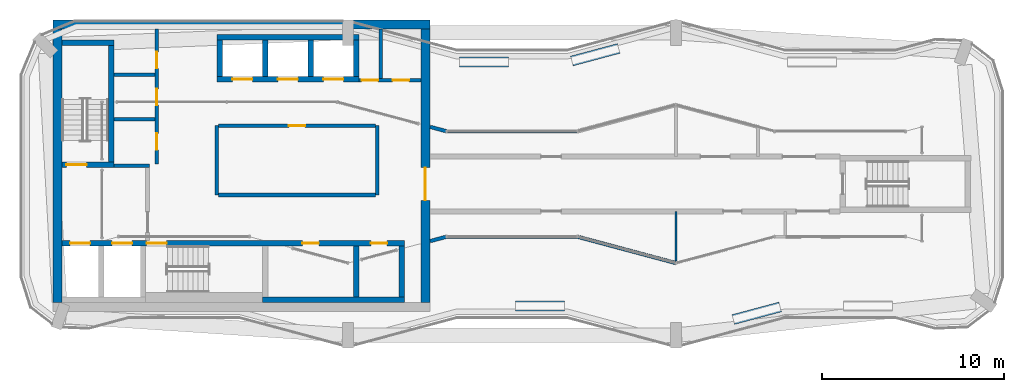
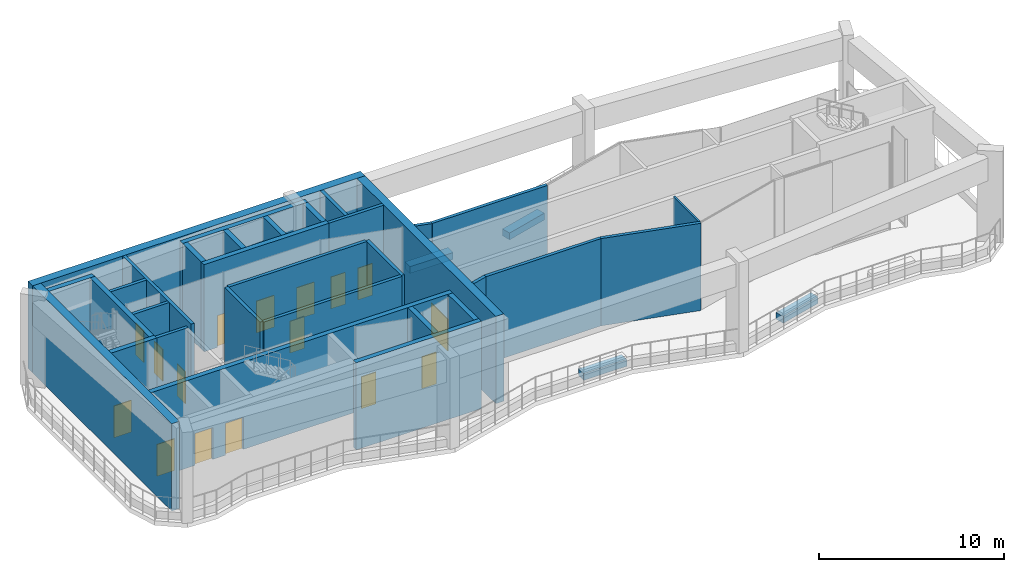
# One storey, part 7 of 12: 36 walls, 16 doors, 16 openings.
"""IFC4 building model written with IfcOpenShell, lengths in metres."""

from ifc_helpers import new_model, si_unit, direction, frame, frame_2d, origin, place, context, subcontext, project, spatial, rectangle, extrude, material, layer, layer_set, type_object, element, fill, save


model = new_model("IFC4")

# Units and contexts
model_context = context("Model", 3, precision=1e-05, world=origin(), true_north=direction((0.0, 1.0)))
body_context = subcontext(model_context, "Body", "Model", "MODEL_VIEW")
ifc_project = project(units=[si_unit("LENGTHUNIT", "METRE"), si_unit("AREAUNIT", "SQUARE_METRE"), si_unit("VOLUMEUNIT", "CUBIC_METRE"), si_unit("PLANEANGLEUNIT", "RADIAN"), si_unit("MASSUNIT", "GRAM", prefix="KILO")], contexts=[model_context])

# Site, building, storey
site_placement = place(None, origin())
site = spatial("IfcSite", under=ifc_project, at=site_placement, CompositionType="ELEMENT")
building_placement = place(site_placement, origin())
building = spatial("IfcBuilding", under=site, at=building_placement, Name="Plateau Cross Towers", CompositionType="ELEMENT")
storey_placement = place(building_placement, frame((0.0, 0.0, 236.39990234375)))
storey = spatial("IfcBuildingStorey", under=building, at=storey_placement, Name="L62", CompositionType="ELEMENT", Elevation=236.39990234375)

# Walls
ifc_material_1 = material(Name="Concrete block, plastered both sides", Category="concrete")
ifc_layer_1 = layer(ifc_material_1, 0.199951171875)
ifc_layer_set_1 = layer_set([ifc_layer_1], Name="Concrete block, plastered both sides")
wall_type_1 = type_object("IfcWallType", Name="Core partition 200", PredefinedType="PARTITIONING", material=ifc_layer_set_1)
wall_1_placement = place(storey_placement, frame((5.14990234375, 10.0, 0.0), z_axis=(0.0, 0.0, 1.0), x_axis=(1.0, 0.0, 0.0)))
element("IfcWall", 1, at=wall_1_placement, inside=storey, type_object=wall_type_1, Name="Core partition", PredefinedType="PARTITIONING", context=body_context, shape_type="SweptSolid", body=[
    extrude(rectangle(XDim=1.9501953125, YDim=0.199951171875, at=frame_2d((0.97509765625, 0.0))), origin(), (0.0, 0.0, 1.0), 5.75),
])
wall_2_placement = place(storey_placement, frame((10.800048828125, 8.39990234375, 0.0), z_axis=(0.0, 0.0, 1.0), x_axis=(0.0, 1.0, 0.0)))
element("IfcWall", 2, at=wall_2_placement, inside=storey, type_object=wall_type_1, Name="Core partition", PredefinedType="PARTITIONING", context=body_context, shape_type="SweptSolid", body=[
    extrude(rectangle(XDim=3.800048828125, YDim=0.199951171875, at=frame_2d((1.89990234375, 0.0))), origin(), (0.0, 0.0, 1.0), 5.75),
])
wall_3_placement = place(storey_placement, frame((10.89990234375, 8.39990234375, 0.0), z_axis=(0.0, 0.0, 1.0), x_axis=(1.0, 0.0, 0.0)))
element("IfcWall", 3, at=wall_3_placement, inside=storey, type_object=wall_type_1, Name="Core partition", PredefinedType="PARTITIONING", context=body_context, shape_type="SweptSolid", body=[
    extrude(rectangle(XDim=8.60009765625, YDim=0.199951171875, at=frame_2d((4.300048828125, 0.0))), origin(), (0.0, 0.0, 1.0), 5.75),
])
wall_4_placement = place(storey_placement, frame((19.60009765625, 8.39990234375, 0.0), z_axis=(0.0, 0.0, 1.0), x_axis=(0.0, 1.0, 0.0)))
element("IfcWall", 4, at=wall_4_placement, inside=storey, type_object=wall_type_1, Name="Core partition", PredefinedType="PARTITIONING", context=body_context, shape_type="SweptSolid", body=[
    extrude(rectangle(XDim=3.800048828125, YDim=0.199951171875, at=frame_2d((1.89990234375, 0.0))), origin(), (0.0, 0.0, 1.0), 5.75),
])

# Wall, opening, door
wall_5_placement = place(storey_placement, frame((10.89990234375, 12.199951171875, 0.0), z_axis=(0.0, 0.0, 1.0), x_axis=(1.0, 0.0, 0.0)))
wall_5 = element("IfcWall", 5, at=wall_5_placement, inside=storey, type_object=wall_type_1, Name="Core partition", PredefinedType="PARTITIONING", context=body_context, shape_type="SweptSolid", body=[
    extrude(rectangle(XDim=8.60009765625, YDim=0.199951171875, at=frame_2d((4.300048828125, 0.0))), origin(), (0.0, 0.0, 1.0), 5.75),
])
opening_1_placement = place(wall_5_placement, frame((3.85009765625, 0.0, 0.0)))
opening_1 = element("IfcOpeningElement", 6, at=opening_1_placement, cuts=wall_5, Name="Opening RD1", PredefinedType="OPENING", context=body_context, shape_type="SweptSolid", body=[
    extrude(rectangle(XDim=0.89990234375, YDim=2.10009765625, at=frame_2d((0.449951171875, 1.050048828125))), frame((0.0, 0.10986328125, 0.0), z_axis=(0.0, -1.0, 0.0), x_axis=(1.0, 0.0, 0.0)), (0.0, 0.0, 1.0), 0.219970703125),
])
ifc_material_2 = material(Name="Timber, fire-resisting leaf", Category="wood")
door_type_1 = type_object("IfcDoorType", Name="Core service door 900", OperationType="NOTDEFINED", PredefinedType="DOOR", material=ifc_material_2)
door_1_placement = place(opening_1_placement, origin())
door_1 = element("IfcDoor", 7, at=door_1_placement, inside=storey, type_object=door_type_1, Name="Core service door RD1", OperationType="SINGLE_SWING_LEFT", OverallHeight=2.10009765625, OverallWidth=0.89990234375, PredefinedType="DOOR", context=body_context, shape_type="SweptSolid", body=[
    extrude(rectangle(XDim=0.89990234375, YDim=2.10009765625, at=frame_2d((0.449951171875, 1.050048828125))), frame((0.0, 0.02490234375, 0.0), z_axis=(0.0, -1.0, 0.0), x_axis=(1.0, 0.0, 0.0)), (0.0, 0.0, 1.0), 0.050048828125),
])
fill(opening_1, door_1)

# Wall, openings, doors
wall_6_placement = place(storey_placement, frame((7.5, 10.10009765625, 0.0), z_axis=(0.0, 0.0, 1.0), x_axis=(0.0, 1.0, 0.0)))
wall_6 = element("IfcWall", 8, at=wall_6_placement, inside=storey, type_object=wall_type_1, Name="Core partition", PredefinedType="PARTITIONING", context=body_context, shape_type="SweptSolid", body=[
    extrude(rectangle(XDim=7.39990234375, YDim=0.199951171875, at=frame_2d((3.699951171875, 0.0))), origin(), (0.0, 0.0, 1.0), 5.75),
])
opening_2_placement = place(wall_6_placement, frame((0.77490234375, 0.0, 0.0)))
opening_2 = element("IfcOpeningElement", 9, at=opening_2_placement, cuts=wall_6, Name="Opening RD1", PredefinedType="OPENING", context=body_context, shape_type="SweptSolid", body=[
    extrude(rectangle(XDim=0.89990234375, YDim=2.10009765625, at=frame_2d((0.449951171875, 1.050048828125))), frame((0.0, 0.10986328125, 0.0), z_axis=(0.0, -1.0, 0.0), x_axis=(1.0, 0.0, 0.0)), (0.0, 0.0, 1.0), 0.219970703125),
])
opening_3_placement = place(wall_6_placement, frame((3.22509765625, 0.0, 0.0)))
opening_3 = element("IfcOpeningElement", 10, at=opening_3_placement, cuts=wall_6, Name="Opening RD1", PredefinedType="OPENING", context=body_context, shape_type="SweptSolid", body=[
    extrude(rectangle(XDim=0.89990234375, YDim=2.10009765625, at=frame_2d((0.449951171875, 1.050048828125))), frame((0.0, 0.10986328125, 0.0), z_axis=(0.0, -1.0, 0.0), x_axis=(1.0, 0.0, 0.0)), (0.0, 0.0, 1.0), 0.219970703125),
])
opening_4_placement = place(wall_6_placement, frame((5.25, 0.0, 0.0)))
opening_4 = element("IfcOpeningElement", 11, at=opening_4_placement, cuts=wall_6, Name="Opening RD1", PredefinedType="OPENING", context=body_context, shape_type="SweptSolid", body=[
    extrude(rectangle(XDim=0.89990234375, YDim=2.10009765625, at=frame_2d((0.449951171875, 1.050048828125))), frame((0.0, 0.10986328125, 0.0), z_axis=(0.0, -1.0, 0.0), x_axis=(1.0, 0.0, 0.0)), (0.0, 0.0, 1.0), 0.219970703125),
])
door_2_placement = place(opening_2_placement, origin())
door_2 = element("IfcDoor", 12, at=door_2_placement, inside=storey, type_object=door_type_1, Name="Core service door RD1", OperationType="SINGLE_SWING_RIGHT", OverallHeight=2.10009765625, OverallWidth=0.89990234375, PredefinedType="DOOR", context=body_context, shape_type="SweptSolid", body=[
    extrude(rectangle(XDim=0.89990234375, YDim=2.10009765625, at=frame_2d((0.449951171875, 1.050048828125))), frame((0.0, 0.02490234375, 0.0), z_axis=(0.0, -1.0, 0.0), x_axis=(1.0, 0.0, 0.0)), (0.0, 0.0, 1.0), 0.050048828125),
])
fill(opening_2, door_2)
door_3_placement = place(opening_3_placement, origin())
door_3 = element("IfcDoor", 13, at=door_3_placement, inside=storey, type_object=door_type_1, Name="Core service door RD1", OperationType="SINGLE_SWING_RIGHT", OverallHeight=2.10009765625, OverallWidth=0.89990234375, PredefinedType="DOOR", context=body_context, shape_type="SweptSolid", body=[
    extrude(rectangle(XDim=0.89990234375, YDim=2.10009765625, at=frame_2d((0.449951171875, 1.050048828125))), frame((0.0, 0.02490234375, 0.0), z_axis=(0.0, -1.0, 0.0), x_axis=(1.0, 0.0, 0.0)), (0.0, 0.0, 1.0), 0.050048828125),
])
fill(opening_3, door_3)
door_4_placement = place(opening_4_placement, origin())
door_4 = element("IfcDoor", 14, at=door_4_placement, inside=storey, type_object=door_type_1, Name="Core service door RD1", OperationType="SINGLE_SWING_RIGHT", OverallHeight=2.10009765625, OverallWidth=0.89990234375, PredefinedType="DOOR", context=body_context, shape_type="SweptSolid", body=[
    extrude(rectangle(XDim=0.89990234375, YDim=2.10009765625, at=frame_2d((0.449951171875, 1.050048828125))), frame((0.0, 0.02490234375, 0.0), z_axis=(0.0, -1.0, 0.0), x_axis=(1.0, 0.0, 0.0)), (0.0, 0.0, 1.0), 0.050048828125),
])
fill(opening_4, door_4)

# Walls
for number, where, z_axis, x_axis, name in (
    (15, (5.14990234375, 12.550048828125, 0.0), (0.0, 0.0, 1.0), (1.0, 0.0, 0.0), "Core partition"),
    (16, (5.14990234375, 15.0, 0.0), (0.0, 0.0, 1.0), (1.0, 0.0, 0.0), "Core partition"),
):
    element("IfcWall", number, at=place(storey_placement, frame(where, z_axis=z_axis, x_axis=x_axis)), inside=storey, type_object=wall_type_1, Name=name, PredefinedType="PARTITIONING", context=body_context, shape_type="SweptSolid", body=[
        extrude(rectangle(XDim=2.25, YDim=0.199951171875, at=frame_2d((1.125, 0.0))), origin(), (0.0, 0.0, 1.0), 5.75),
    ])

# Wall, openings, doors
wall_7_placement = place(storey_placement, frame((18.60009765625, 14.699951171875, 0.0), z_axis=(0.0, 0.0, 1.0), x_axis=(1.0, 0.0, 0.0)))
wall_7 = element("IfcWall", 17, at=wall_7_placement, inside=storey, type_object=wall_type_1, Name="Core partition", PredefinedType="PARTITIONING", context=body_context, shape_type="SweptSolid", body=[
    extrude(rectangle(XDim=3.39990234375, YDim=0.199951171875, at=frame_2d((1.699951171875, 0.0))), origin(), (0.0, 0.0, 1.0), 5.75),
])
opening_5_placement = place(wall_7_placement, frame((0.14990234375, 0.0, 0.0)))
opening_5 = element("IfcOpeningElement", 18, at=opening_5_placement, cuts=wall_7, Name="Opening RD2", PredefinedType="OPENING", context=body_context, shape_type="SweptSolid", body=[
    extrude(rectangle(XDim=0.89990234375, YDim=2.10009765625, at=frame_2d((0.449951171875, 1.050048828125))), frame((0.0, 0.10986328125, 0.0), z_axis=(0.0, -1.0, 0.0), x_axis=(1.0, 0.0, 0.0)), (0.0, 0.0, 1.0), 0.219970703125),
])
opening_6_placement = place(wall_7_placement, frame((1.85009765625, 0.0, 0.0)))
opening_6 = element("IfcOpeningElement", 19, at=opening_6_placement, cuts=wall_7, Name="Opening RD2", PredefinedType="OPENING", context=body_context, shape_type="SweptSolid", body=[
    extrude(rectangle(XDim=0.89990234375, YDim=2.10009765625, at=frame_2d((0.449951171875, 1.050048828125))), frame((0.0, 0.10986328125, 0.0), z_axis=(0.0, -1.0, 0.0), x_axis=(1.0, 0.0, 0.0)), (0.0, 0.0, 1.0), 0.219970703125),
])
ifc_material_3 = material(Name="Steel, fire-resisting leaf", Category="steel")
door_type_2 = type_object("IfcDoorType", Name="Core riser door 900", OperationType="NOTDEFINED", PredefinedType="DOOR", material=ifc_material_3)
door_5_placement = place(opening_5_placement, origin())
door_5 = element("IfcDoor", 20, at=door_5_placement, inside=storey, type_object=door_type_2, Name="Core riser door RD2", OperationType="SINGLE_SWING_LEFT", OverallHeight=2.10009765625, OverallWidth=0.89990234375, PredefinedType="DOOR", context=body_context, shape_type="SweptSolid", body=[
    extrude(rectangle(XDim=0.89990234375, YDim=2.10009765625, at=frame_2d((0.449951171875, 1.050048828125))), frame((0.0, 0.02490234375, 0.0), z_axis=(0.0, -1.0, 0.0), x_axis=(1.0, 0.0, 0.0)), (0.0, 0.0, 1.0), 0.050048828125),
])
fill(opening_5, door_5)
door_6_placement = place(opening_6_placement, origin())
door_6 = element("IfcDoor", 21, at=door_6_placement, inside=storey, type_object=door_type_2, Name="Core riser door RD2", OperationType="SINGLE_SWING_LEFT", OverallHeight=2.10009765625, OverallWidth=0.89990234375, PredefinedType="DOOR", context=body_context, shape_type="SweptSolid", body=[
    extrude(rectangle(XDim=0.89990234375, YDim=2.10009765625, at=frame_2d((0.449951171875, 1.050048828125))), frame((0.0, 0.02490234375, 0.0), z_axis=(0.0, -1.0, 0.0), x_axis=(1.0, 0.0, 0.0)), (0.0, 0.0, 1.0), 0.050048828125),
])
fill(opening_6, door_6)

# Walls
wall_8_placement = place(storey_placement, frame((19.800048828125, 14.800048828125, 0.0), z_axis=(0.0, 0.0, 1.0), x_axis=(0.0, 1.0, 0.0)))
element("IfcWall", 22, at=wall_8_placement, inside=storey, type_object=wall_type_1, Name="Core partition", PredefinedType="PARTITIONING", context=body_context, shape_type="SweptSolid", body=[
    extrude(rectangle(XDim=2.699951171875, YDim=0.199951171875, at=frame_2d((1.35009765625, 0.0))), origin(), (0.0, 0.0, 1.0), 5.75),
])
ifc_material_4 = material(Name="Concrete C60/75", Category="concrete")
ifc_layer_2 = layer(ifc_material_4, 0.300048828125)
ifc_layer_set_2 = layer_set([ifc_layer_2], Name="Concrete C60/75")
wall_type_2 = type_object("IfcWallType", Name="Core shaft wall 300", PredefinedType="SHEAR", material=ifc_layer_set_2)
wall_9_placement = place(storey_placement, frame((13.300048828125, 2.64990234375, 0.0), z_axis=(0.0, 0.0, 1.0), x_axis=(1.0, 0.0, 0.0)))
element("IfcWall", 23, at=wall_9_placement, inside=storey, type_object=wall_type_2, Name="A-sb-back3@L62", PredefinedType="SHEAR", context=body_context, shape_type="SweptSolid", body=[
    extrude(rectangle(XDim=7.800048828125, YDim=0.300048828125, at=frame_2d((3.89990234375, 0.0))), origin(), (0.0, 0.0, 1.0), 5.75),
])
for number, where, z_axis, x_axis, name in (
    (24, (18.449951171875, 2.800048828125, 0.0), (0.0, 0.0, 1.0), (0.0, 1.0, 0.0), "A-sb-v5@L62"),
    (25, (20.949951171875, 2.800048828125, 0.0), (0.0, 0.0, 1.0), (0.0, 1.0, 0.0), "A-sb-v6@L62"),
):
    element("IfcWall", number, at=place(storey_placement, frame(where, z_axis=z_axis, x_axis=x_axis)), inside=storey, type_object=wall_type_2, Name=name, PredefinedType="SHEAR", context=body_context, shape_type="SweptSolid", body=[
        extrude(rectangle(XDim=2.800048828125, YDim=0.300048828125, at=frame_2d((1.39990234375, 0.0))), origin(), (0.0, 0.0, 1.0), 5.75),
    ])

# Wall, openings, doors
wall_10_placement = place(storey_placement, frame((2.300048828125, 5.75, 0.0), z_axis=(0.0, 0.0, 1.0), x_axis=(1.0, 0.0, 0.0)))
wall_10 = element("IfcWall", 26, at=wall_10_placement, inside=storey, type_object=wall_type_2, Name="A-sb-front@L62", PredefinedType="SHEAR", context=body_context, shape_type="SweptSolid", body=[
    extrude(rectangle(XDim=18.800048828125, YDim=0.300048828125, at=frame_2d((9.39990234375, 0.0))), origin(), (0.0, 0.0, 1.0), 5.75),
])
opening_7_placement = place(wall_10_placement, frame((4.64990234375, 0.0, 0.0)))
opening_7 = element("IfcOpeningElement", 27, at=opening_7_placement, cuts=wall_10, Name="Opening SD", PredefinedType="OPENING", context=body_context, shape_type="SweptSolid", body=[
    extrude(rectangle(XDim=1.10009765625, YDim=2.10009765625, at=frame_2d((0.550048828125, 1.050048828125))), frame((0.0, 0.159912109375, 0.0), z_axis=(0.0, -1.0, 0.0), x_axis=(1.0, 0.0, 0.0)), (0.0, 0.0, 1.0), 0.320068359375),
])
opening_8_placement = place(wall_10_placement, frame((0.449951171875, 0.0, 0.0)))
opening_8 = element("IfcOpeningElement", 28, at=opening_8_placement, cuts=wall_10, Name="Opening LD", PredefinedType="OPENING", context=body_context, shape_type="SweptSolid", body=[
    extrude(rectangle(XDim=1.10009765625, YDim=2.10009765625, at=frame_2d((0.550048828125, 1.050048828125))), frame((0.0, 0.159912109375, 0.0), z_axis=(0.0, -1.0, 0.0), x_axis=(1.0, 0.0, 0.0)), (0.0, 0.0, 1.0), 0.320068359375),
])
opening_9_placement = place(wall_10_placement, frame((2.75, 0.0, 0.0)))
opening_9 = element("IfcOpeningElement", 29, at=opening_9_placement, cuts=wall_10, Name="Opening LD", PredefinedType="OPENING", context=body_context, shape_type="SweptSolid", body=[
    extrude(rectangle(XDim=1.10009765625, YDim=2.10009765625, at=frame_2d((0.550048828125, 1.050048828125))), frame((0.0, 0.159912109375, 0.0), z_axis=(0.0, -1.0, 0.0), x_axis=(1.0, 0.0, 0.0)), (0.0, 0.0, 1.0), 0.320068359375),
])
opening_10_placement = place(wall_10_placement, frame((13.199951171875, 0.0, 0.0)))
opening_10 = element("IfcOpeningElement", 30, at=opening_10_placement, cuts=wall_10, Name="Opening RD2", PredefinedType="OPENING", context=body_context, shape_type="SweptSolid", body=[
    extrude(rectangle(XDim=0.89990234375, YDim=2.10009765625, at=frame_2d((0.449951171875, 1.050048828125))), frame((0.0, 0.159912109375, 0.0), z_axis=(0.0, -1.0, 0.0), x_axis=(1.0, 0.0, 0.0)), (0.0, 0.0, 1.0), 0.320068359375),
])
opening_11_placement = place(wall_10_placement, frame((16.949951171875, 0.0, 0.0)))
opening_11 = element("IfcOpeningElement", 31, at=opening_11_placement, cuts=wall_10, Name="Opening RD2", PredefinedType="OPENING", context=body_context, shape_type="SweptSolid", body=[
    extrude(rectangle(XDim=0.89990234375, YDim=2.10009765625, at=frame_2d((0.449951171875, 1.050048828125))), frame((0.0, 0.159912109375, 0.0), z_axis=(0.0, -1.0, 0.0), x_axis=(1.0, 0.0, 0.0)), (0.0, 0.0, 1.0), 0.320068359375),
])
door_7_placement = place(opening_10_placement, origin())
door_7 = element("IfcDoor", 32, at=door_7_placement, inside=storey, type_object=door_type_2, Name="Core riser door RD2", OperationType="SINGLE_SWING_LEFT", OverallHeight=2.10009765625, OverallWidth=0.89990234375, PredefinedType="DOOR", context=body_context, shape_type="SweptSolid", body=[
    extrude(rectangle(XDim=0.89990234375, YDim=2.10009765625, at=frame_2d((0.449951171875, 1.050048828125))), frame((0.0, 0.02490234375, 0.0), z_axis=(0.0, -1.0, 0.0), x_axis=(1.0, 0.0, 0.0)), (0.0, 0.0, 1.0), 0.050048828125),
])
fill(opening_10, door_7)
door_8_placement = place(opening_11_placement, origin())
door_8 = element("IfcDoor", 33, at=door_8_placement, inside=storey, type_object=door_type_2, Name="Core riser door RD2", OperationType="SINGLE_SWING_LEFT", OverallHeight=2.10009765625, OverallWidth=0.89990234375, PredefinedType="DOOR", context=body_context, shape_type="SweptSolid", body=[
    extrude(rectangle(XDim=0.89990234375, YDim=2.10009765625, at=frame_2d((0.449951171875, 1.050048828125))), frame((0.0, 0.02490234375, 0.0), z_axis=(0.0, -1.0, 0.0), x_axis=(1.0, 0.0, 0.0)), (0.0, 0.0, 1.0), 0.050048828125),
])
fill(opening_11, door_8)
ifc_material_5 = material(Name="Stainless steel, fire-resisting sliding leaves", Category="steel")
door_type_3 = type_object("IfcDoorType", Name="Lift landing door 1100", OperationType="NOTDEFINED", PredefinedType="DOOR", material=ifc_material_5)
door_9_placement = place(opening_8_placement, origin())
door_9 = element("IfcDoor", 34, at=door_9_placement, inside=storey, type_object=door_type_3, Name="Lift landing door LD", OperationType="DOUBLE_DOOR_SLIDING", OverallHeight=2.10009765625, OverallWidth=1.10009765625, PredefinedType="DOOR", context=body_context, shape_type="SweptSolid", body=[
    extrude(rectangle(XDim=1.10009765625, YDim=2.10009765625, at=frame_2d((0.550048828125, 1.050048828125))), frame((0.0, 0.02490234375, 0.0), z_axis=(0.0, -1.0, 0.0), x_axis=(1.0, 0.0, 0.0)), (0.0, 0.0, 1.0), 0.050048828125),
])
fill(opening_8, door_9)
door_10_placement = place(opening_9_placement, origin())
door_10 = element("IfcDoor", 35, at=door_10_placement, inside=storey, type_object=door_type_3, Name="Lift landing door LD", OperationType="DOUBLE_DOOR_SLIDING", OverallHeight=2.10009765625, OverallWidth=1.10009765625, PredefinedType="DOOR", context=body_context, shape_type="SweptSolid", body=[
    extrude(rectangle(XDim=1.10009765625, YDim=2.10009765625, at=frame_2d((0.550048828125, 1.050048828125))), frame((0.0, 0.02490234375, 0.0), z_axis=(0.0, -1.0, 0.0), x_axis=(1.0, 0.0, 0.0)), (0.0, 0.0, 1.0), 0.050048828125),
])
fill(opening_9, door_10)
door_type_4 = type_object("IfcDoorType", Name="Stair door 1100", OperationType="NOTDEFINED", PredefinedType="DOOR", material=ifc_material_3)
door_11_placement = place(opening_7_placement, origin())
door_11 = element("IfcDoor", 36, at=door_11_placement, inside=storey, type_object=door_type_4, Name="Stair door SD", OperationType="SINGLE_SWING_LEFT", OverallHeight=2.10009765625, OverallWidth=1.10009765625, PredefinedType="DOOR", context=body_context, shape_type="SweptSolid", body=[
    extrude(rectangle(XDim=1.10009765625, YDim=2.10009765625, at=frame_2d((0.550048828125, 1.050048828125))), frame((0.0, 0.02490234375, 0.0), z_axis=(0.0, -1.0, 0.0), x_axis=(1.0, 0.0, 0.0)), (0.0, 0.0, 1.0), 0.050048828125),
])
fill(opening_7, door_11)

# Wall, opening, door
wall_11_placement = place(storey_placement, frame((2.300048828125, 10.050048828125, 0.0), z_axis=(0.0, 0.0, 1.0), x_axis=(1.0, 0.0, 0.0)))
wall_11 = element("IfcWall", 37, at=wall_11_placement, inside=storey, type_object=wall_type_2, Name="A-st1-S@L62", PredefinedType="SHEAR", context=body_context, shape_type="SweptSolid", body=[
    extrude(rectangle(XDim=2.849853515625, YDim=0.300048828125, at=frame_2d((1.4248046875, 0.0))), origin(), (0.0, 0.0, 1.0), 5.75),
])
opening_12_placement = place(wall_11_placement, frame((0.25, 0.0, 0.0)))
opening_12 = element("IfcOpeningElement", 38, at=opening_12_placement, cuts=wall_11, Name="Opening SD", PredefinedType="OPENING", context=body_context, shape_type="SweptSolid", body=[
    extrude(rectangle(XDim=1.10009765625, YDim=2.10009765625, at=frame_2d((0.550048828125, 1.050048828125))), frame((0.0, 0.159912109375, 0.0), z_axis=(0.0, -1.0, 0.0), x_axis=(1.0, 0.0, 0.0)), (0.0, 0.0, 1.0), 0.320068359375),
])
door_12_placement = place(opening_12_placement, origin())
door_12 = element("IfcDoor", 39, at=door_12_placement, inside=storey, type_object=door_type_4, Name="Stair door SD", OperationType="SINGLE_SWING_RIGHT", OverallHeight=2.10009765625, OverallWidth=1.10009765625, PredefinedType="DOOR", context=body_context, shape_type="SweptSolid", body=[
    extrude(rectangle(XDim=1.10009765625, YDim=2.10009765625, at=frame_2d((0.550048828125, 1.050048828125))), frame((0.0, 0.02490234375, 0.0), z_axis=(0.0, -1.0, 0.0), x_axis=(1.0, 0.0, 0.0)), (0.0, 0.0, 1.0), 0.050048828125),
])
fill(opening_12, door_12)

# Walls
wall_12_placement = place(storey_placement, frame((5.0, 10.199951171875, 0.0), z_axis=(0.0, 0.0, 1.0), x_axis=(0.0, 1.0, 0.0)))
element("IfcWall", 40, at=wall_12_placement, inside=storey, type_object=wall_type_2, Name="A-st1-E@L62", PredefinedType="SHEAR", context=body_context, shape_type="SweptSolid", body=[
    extrude(rectangle(XDim=6.400146484375, YDim=0.300048828125, at=frame_2d((3.2001953125, 0.0))), origin(), (0.0, 0.0, 1.0), 5.75),
])
wall_13_placement = place(storey_placement, frame((2.300048828125, 16.75, 0.0), z_axis=(0.0, 0.0, 1.0), x_axis=(1.0, 0.0, 0.0)))
element("IfcWall", 41, at=wall_13_placement, inside=storey, type_object=wall_type_2, Name="A-st1-N@L62", PredefinedType="SHEAR", context=body_context, shape_type="SweptSolid", body=[
    extrude(rectangle(XDim=2.849853515625, YDim=0.300048828125, at=frame_2d((1.4248046875, 0.0))), origin(), (0.0, 0.0, 1.0), 5.75),
])
wall_14_placement = place(storey_placement, frame((10.800048828125, 17.050048828125, 0.0), z_axis=(0.0, 0.0, 1.0), x_axis=(1.0, 0.0, 0.0)))
element("IfcWall", 42, at=wall_14_placement, inside=storey, type_object=wall_type_2, Name="A-nb-back@L62", PredefinedType="SHEAR", context=body_context, shape_type="SweptSolid", body=[
    extrude(rectangle(XDim=7.800048828125, YDim=0.300048828125, at=frame_2d((3.89990234375, 0.0))), origin(), (0.0, 0.0, 1.0), 5.75),
])

# Wall, openings, doors
wall_15_placement = place(storey_placement, frame((10.800048828125, 14.75, 0.0), z_axis=(0.0, 0.0, 1.0), x_axis=(1.0, 0.0, 0.0)))
wall_15 = element("IfcWall", 43, at=wall_15_placement, inside=storey, type_object=wall_type_2, Name="A-nb-front@L62", PredefinedType="SHEAR", context=body_context, shape_type="SweptSolid", body=[
    extrude(rectangle(XDim=7.800048828125, YDim=0.300048828125, at=frame_2d((3.89990234375, 0.0))), origin(), (0.0, 0.0, 1.0), 5.75),
])
opening_13_placement = place(wall_15_placement, frame((0.85009765625, 0.0, 0.0)))
opening_13 = element("IfcOpeningElement", 44, at=opening_13_placement, cuts=wall_15, Name="Opening LD", PredefinedType="OPENING", context=body_context, shape_type="SweptSolid", body=[
    extrude(rectangle(XDim=1.10009765625, YDim=2.10009765625, at=frame_2d((0.550048828125, 1.050048828125))), frame((0.0, 0.159912109375, 0.0), z_axis=(0.0, -1.0, 0.0), x_axis=(1.0, 0.0, 0.0)), (0.0, 0.0, 1.0), 0.320068359375),
])
opening_14_placement = place(wall_15_placement, frame((3.35009765625, 0.0, 0.0)))
opening_14 = element("IfcOpeningElement", 45, at=opening_14_placement, cuts=wall_15, Name="Opening LD", PredefinedType="OPENING", context=body_context, shape_type="SweptSolid", body=[
    extrude(rectangle(XDim=1.10009765625, YDim=2.10009765625, at=frame_2d((0.550048828125, 1.050048828125))), frame((0.0, 0.159912109375, 0.0), z_axis=(0.0, -1.0, 0.0), x_axis=(1.0, 0.0, 0.0)), (0.0, 0.0, 1.0), 0.320068359375),
])
opening_15_placement = place(wall_15_placement, frame((5.85009765625, 0.0, 0.0)))
opening_15 = element("IfcOpeningElement", 46, at=opening_15_placement, cuts=wall_15, Name="Opening LD", PredefinedType="OPENING", context=body_context, shape_type="SweptSolid", body=[
    extrude(rectangle(XDim=1.10009765625, YDim=2.10009765625, at=frame_2d((0.550048828125, 1.050048828125))), frame((0.0, 0.159912109375, 0.0), z_axis=(0.0, -1.0, 0.0), x_axis=(1.0, 0.0, 0.0)), (0.0, 0.0, 1.0), 0.320068359375),
])
door_13_placement = place(opening_13_placement, origin())
door_13 = element("IfcDoor", 47, at=door_13_placement, inside=storey, type_object=door_type_3, Name="Lift landing door LD", OperationType="DOUBLE_DOOR_SLIDING", OverallHeight=2.10009765625, OverallWidth=1.10009765625, PredefinedType="DOOR", context=body_context, shape_type="SweptSolid", body=[
    extrude(rectangle(XDim=1.10009765625, YDim=2.10009765625, at=frame_2d((0.550048828125, 1.050048828125))), frame((0.0, 0.02490234375, 0.0), z_axis=(0.0, -1.0, 0.0), x_axis=(1.0, 0.0, 0.0)), (0.0, 0.0, 1.0), 0.050048828125),
])
fill(opening_13, door_13)
door_14_placement = place(opening_14_placement, origin())
door_14 = element("IfcDoor", 48, at=door_14_placement, inside=storey, type_object=door_type_3, Name="Lift landing door LD", OperationType="DOUBLE_DOOR_SLIDING", OverallHeight=2.10009765625, OverallWidth=1.10009765625, PredefinedType="DOOR", context=body_context, shape_type="SweptSolid", body=[
    extrude(rectangle(XDim=1.10009765625, YDim=2.10009765625, at=frame_2d((0.550048828125, 1.050048828125))), frame((0.0, 0.02490234375, 0.0), z_axis=(0.0, -1.0, 0.0), x_axis=(1.0, 0.0, 0.0)), (0.0, 0.0, 1.0), 0.050048828125),
])
fill(opening_14, door_14)
door_15_placement = place(opening_15_placement, origin())
door_15 = element("IfcDoor", 49, at=door_15_placement, inside=storey, type_object=door_type_3, Name="Lift landing door LD", OperationType="DOUBLE_DOOR_SLIDING", OverallHeight=2.10009765625, OverallWidth=1.10009765625, PredefinedType="DOOR", context=body_context, shape_type="SweptSolid", body=[
    extrude(rectangle(XDim=1.10009765625, YDim=2.10009765625, at=frame_2d((0.550048828125, 1.050048828125))), frame((0.0, 0.02490234375, 0.0), z_axis=(0.0, -1.0, 0.0), x_axis=(1.0, 0.0, 0.0)), (0.0, 0.0, 1.0), 0.050048828125),
])
fill(opening_15, door_15)

# Walls
for number, where, z_axis, x_axis, name in (
    (50, (10.949951171875, 14.89990234375, 0.0), (0.0, 0.0, 1.0), (0.0, 1.0, 0.0), "A-nb-v1@L62"),
    (51, (13.449951171875, 14.89990234375, 0.0), (0.0, 0.0, 1.0), (0.0, 1.0, 0.0), "A-nb-v2@L62"),
    (52, (15.949951171875, 14.89990234375, 0.0), (0.0, 0.0, 1.0), (0.0, 1.0, 0.0), "A-nb-v3@L62"),
    (53, (18.449951171875, 14.89990234375, 0.0), (0.0, 0.0, 1.0), (0.0, 1.0, 0.0), "A-nb-v4@L62"),
):
    element("IfcWall", number, at=place(storey_placement, frame(where, z_axis=z_axis, x_axis=x_axis)), inside=storey, type_object=wall_type_2, Name=name, PredefinedType="SHEAR", context=body_context, shape_type="SweptSolid", body=[
        extrude(rectangle(XDim=2.0, YDim=0.300048828125, at=frame_2d((1.0, 0.0))), origin(), (0.0, 0.0, 1.0), 5.75),
    ])
ifc_layer_3 = layer(ifc_material_4, 0.5)
ifc_layer_set_3 = layer_set([ifc_layer_3], Name="Concrete C60/75")
wall_type_3 = type_object("IfcWallType", Name="Core shell wall 500", PredefinedType="SHEAR", material=ifc_layer_set_3)
wall_16_placement = place(storey_placement, frame((1.800048828125, 17.75, 0.0), z_axis=(0.0, 0.0, 1.0), x_axis=(1.0, 0.0, 0.0)))
element("IfcWall", 54, at=wall_16_placement, inside=storey, type_object=wall_type_3, Name="A-core-N@L62", PredefinedType="SHEAR", context=body_context, shape_type="SweptSolid", body=[
    extrude(rectangle(XDim=20.699951171875, YDim=0.5, at=frame_2d((10.35009765625, 0.0))), origin(), (0.0, 0.0, 1.0), 5.75),
])
wall_17_placement = place(storey_placement, frame((2.050048828125, 2.5, 0.0), z_axis=(0.0, 0.0, 1.0), x_axis=(0.0, 1.0, 0.0)))
element("IfcWall", 55, at=wall_17_placement, inside=storey, type_object=wall_type_3, Name="A-core-W@L62", PredefinedType="SHEAR", context=body_context, shape_type="SweptSolid", body=[
    extrude(rectangle(XDim=15.0, YDim=0.5, at=frame_2d((7.5, 0.0))), origin(), (0.0, 0.0, 1.0), 5.75),
])

# Wall, opening, door
wall_18_placement = place(storey_placement, frame((22.25, 2.5, 0.0), z_axis=(0.0, 0.0, 1.0), x_axis=(0.0, 1.0, 0.0)))
wall_18 = element("IfcWall", 56, at=wall_18_placement, inside=storey, type_object=wall_type_3, Name="A-core-E@L62", PredefinedType="SHEAR", context=body_context, shape_type="SweptSolid", body=[
    extrude(rectangle(XDim=15.0, YDim=0.5, at=frame_2d((7.5, 0.0))), origin(), (0.0, 0.0, 1.0), 5.75),
])
opening_16_placement = place(wall_18_placement, frame((5.60009765625, 0.0, 0.0)))
opening_16 = element("IfcOpeningElement", 57, at=opening_16_placement, cuts=wall_18, Name="Opening CD", PredefinedType="OPENING", context=body_context, shape_type="SweptSolid", body=[
    extrude(rectangle(XDim=1.800048828125, YDim=2.10009765625, at=frame_2d((0.89990234375, 1.050048828125))), frame((0.0, 0.260009765625, 0.0), z_axis=(0.0, -1.0, 0.0), x_axis=(1.0, 0.0, 0.0)), (0.0, 0.0, 1.0), 0.52001953125),
])
ifc_material_6 = material(Name="Steel, fire-resisting leaves", Category="steel")
door_type_5 = type_object("IfcDoorType", Name="Corridor door pair 1800", OperationType="NOTDEFINED", PredefinedType="DOOR", material=ifc_material_6)
door_16_placement = place(opening_16_placement, origin())
door_16 = element("IfcDoor", 58, at=door_16_placement, inside=storey, type_object=door_type_5, Name="Corridor door pair CD", OperationType="DOUBLE_DOOR_SINGLE_SWING", OverallHeight=2.10009765625, OverallWidth=1.800048828125, PredefinedType="DOOR", context=body_context, shape_type="SweptSolid", body=[
    extrude(rectangle(XDim=1.800048828125, YDim=2.10009765625, at=frame_2d((0.89990234375, 1.050048828125))), frame((0.0, 0.02490234375, 0.0), z_axis=(0.0, -1.0, 0.0), x_axis=(1.0, 0.0, 0.0)), (0.0, 0.0, 1.0), 0.050048828125),
])
fill(opening_16, door_16)

# Walls
ifc_material_7 = material(Name="Concrete C30/37", Category="concrete")
ifc_layer_4 = layer(ifc_material_7, 0.550048828125)
ifc_layer_set_4 = layer_set([ifc_layer_4], Name="Concrete C30/37")
wall_type_4 = type_object("IfcWallType", Name="Planter upstand 550", PredefinedType="STANDARD", material=ifc_layer_set_4)
wall_19_placement = place(storey_placement, frame((24.108642578125, 15.697998046875, 0.0), z_axis=(0.0, 0.0, 1.0), x_axis=(1.0, 0.0, 0.0)))
element("IfcWall", 59, at=wall_19_placement, inside=storey, type_object=wall_type_4, Name="Planter 1", PredefinedType="STANDARD", context=body_context, shape_type="SweptSolid", body=[
    extrude(rectangle(XDim=2.69140625, YDim=0.550048828125, at=frame_2d((1.345703125, 0.0))), origin(), (0.0, 0.0, 1.0), 0.4501953125),
])
for number, where, z_axis, x_axis, name in (
    (60, (30.28466796875, 15.749755859375, 0.0), (0.0, 0.0, 1.0), (0.96595542878, 0.258708541821, 0.0), "Planter 2"),
    (61, (41.71533203125, 2.250244140625, 0.0), (0.0, 0.0, 1.0), (-0.96595542878, -0.258708541821, 0.0), "Planter 5"),
):
    element("IfcWall", number, at=place(storey_placement, frame(where, z_axis=z_axis, x_axis=x_axis)), inside=storey, type_object=wall_type_4, Name=name, PredefinedType="STANDARD", context=body_context, shape_type="SweptSolid", body=[
        extrude(rectangle(XDim=2.658447265625, YDim=0.550048828125, at=frame_2d((1.3291015625, 0.0))), origin(), (0.0, 0.0, 1.0), 0.4501953125),
    ])
wall_20_placement = place(storey_placement, frame((29.891357421875, 2.302001953125, 0.0), z_axis=(0.0, 0.0, 1.0), x_axis=(-1.0, 0.0, 0.0)))
element("IfcWall", 62, at=wall_20_placement, inside=storey, type_object=wall_type_4, Name="Planter 6", PredefinedType="STANDARD", context=body_context, shape_type="SweptSolid", body=[
    extrude(rectangle(XDim=2.69140625, YDim=0.550048828125, at=frame_2d((1.345703125, 0.0))), origin(), (0.0, 0.0, 1.0), 0.4501953125),
])
ifc_material_8 = material(Name="Gypsum board on steel studs", Category="steel")
ifc_layer_5 = layer(ifc_material_8, 0.199951171875)
ifc_layer_set_5 = layer_set([ifc_layer_5], Name="Gypsum board on steel studs")
wall_type_5 = type_object("IfcWallType", Name="Podium partition 200", PredefinedType="PARTITIONING", material=ifc_layer_set_5)
wall_21_placement = place(storey_placement, frame((30.592041015625, 11.89306640625, 0.0), z_axis=(0.0, 0.0, 1.0), x_axis=(-1.0, 0.0, 0.0)))
element("IfcWall", 63, at=wall_21_placement, inside=storey, type_object=wall_type_5, Name="Partition wall", PredefinedType="PARTITIONING", context=body_context, shape_type="SweptSolid", body=[
    extrude(rectangle(XDim=7.18408203125, YDim=0.199951171875, at=frame_2d((3.592041015625, 0.0))), origin(), (0.0, 0.0, 1.0), 5.75),
])
for number, where, z_axis, x_axis, name in (
    (64, (23.407958984375, 11.89306640625, 0.0), (0.0, 0.0, 1.0), (-0.96602336302, 0.258454758323, 0.0), "Partition wall"),
    (65, (22.5, 5.864013671875, 0.0), (0.0, 0.0, 1.0), (0.96602336302, 0.258454758323, 0.0), "Partition wall"),
):
    element("IfcWall", number, at=place(storey_placement, frame(where, z_axis=z_axis, x_axis=x_axis)), inside=storey, type_object=wall_type_5, Name=name, PredefinedType="PARTITIONING", context=body_context, shape_type="SweptSolid", body=[
        extrude(rectangle(XDim=0.93994140625, YDim=0.199951171875, at=frame_2d((0.469970703125, 0.0))), origin(), (0.0, 0.0, 1.0), 5.75),
    ])
wall_22_placement = place(storey_placement, frame((23.407958984375, 6.10693359375, 0.0), z_axis=(0.0, 0.0, 1.0), x_axis=(1.0, 0.0, 0.0)))
element("IfcWall", 66, at=wall_22_placement, inside=storey, type_object=wall_type_5, Name="Partition wall", PredefinedType="PARTITIONING", context=body_context, shape_type="SweptSolid", body=[
    extrude(rectangle(XDim=7.18408203125, YDim=0.199951171875, at=frame_2d((3.592041015625, 0.0))), origin(), (0.0, 0.0, 1.0), 5.75),
])
wall_23_placement = place(storey_placement, frame((30.592041015625, 6.10693359375, 0.0), z_axis=(0.0, 0.0, 1.0), x_axis=(0.96597315334, -0.258642353504, 0.0)))
element("IfcWall", 67, at=wall_23_placement, inside=storey, type_object=wall_type_5, Name="Partition wall", PredefinedType="PARTITIONING", context=body_context, shape_type="SweptSolid", body=[
    extrude(rectangle(XDim=5.598388671875, YDim=0.199951171875, at=frame_2d((2.79931640625, 0.0))), origin(), (0.0, 0.0, 1.0), 5.75),
])
ifc_material_9 = material(Name="Moisture-resistant board on steel studs, tiled one side", Category="steel")
ifc_layer_6 = layer(ifc_material_9, 0.1201171875)
ifc_layer_set_6 = layer_set([ifc_layer_6], Name="Moisture-resistant board on steel studs, tiled one side")
wall_type_6 = type_object("IfcWallType", Name="Sanitary partition 120", PredefinedType="PARTITIONING", material=ifc_layer_set_6)
wall_24_placement = place(storey_placement, frame((36.0, 7.5, 0.0), z_axis=(0.0, 0.0, 1.0), x_axis=(0.0, -1.0, 0.0)))
element("IfcWall", 68, at=wall_24_placement, inside=storey, type_object=wall_type_6, Name="Partition wall", PredefinedType="PARTITIONING", context=body_context, shape_type="SweptSolid", body=[
    extrude(rectangle(XDim=2.737060546875, YDim=0.1201171875, at=frame_2d((1.36865234375, 0.0))), origin(), (0.0, 0.0, 1.0), 5.75),
])

save(model, "model.ifc")
